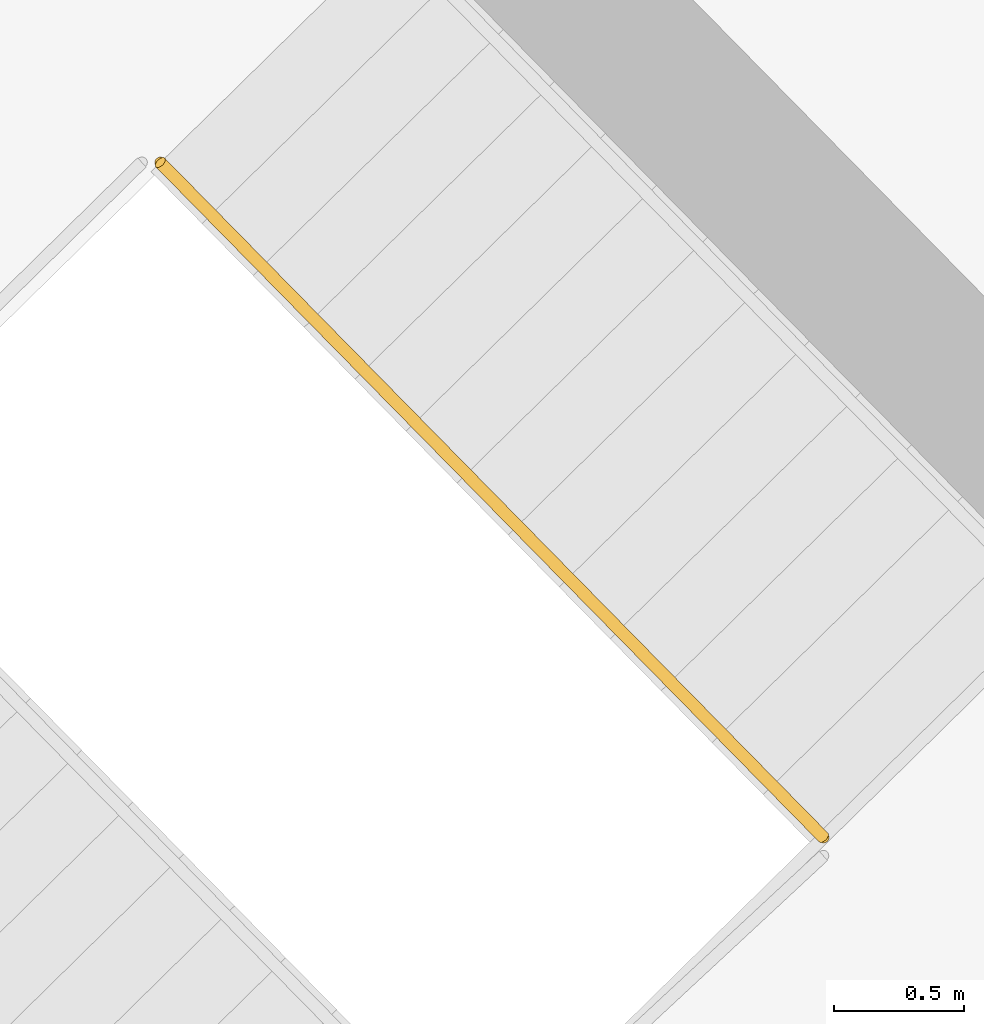
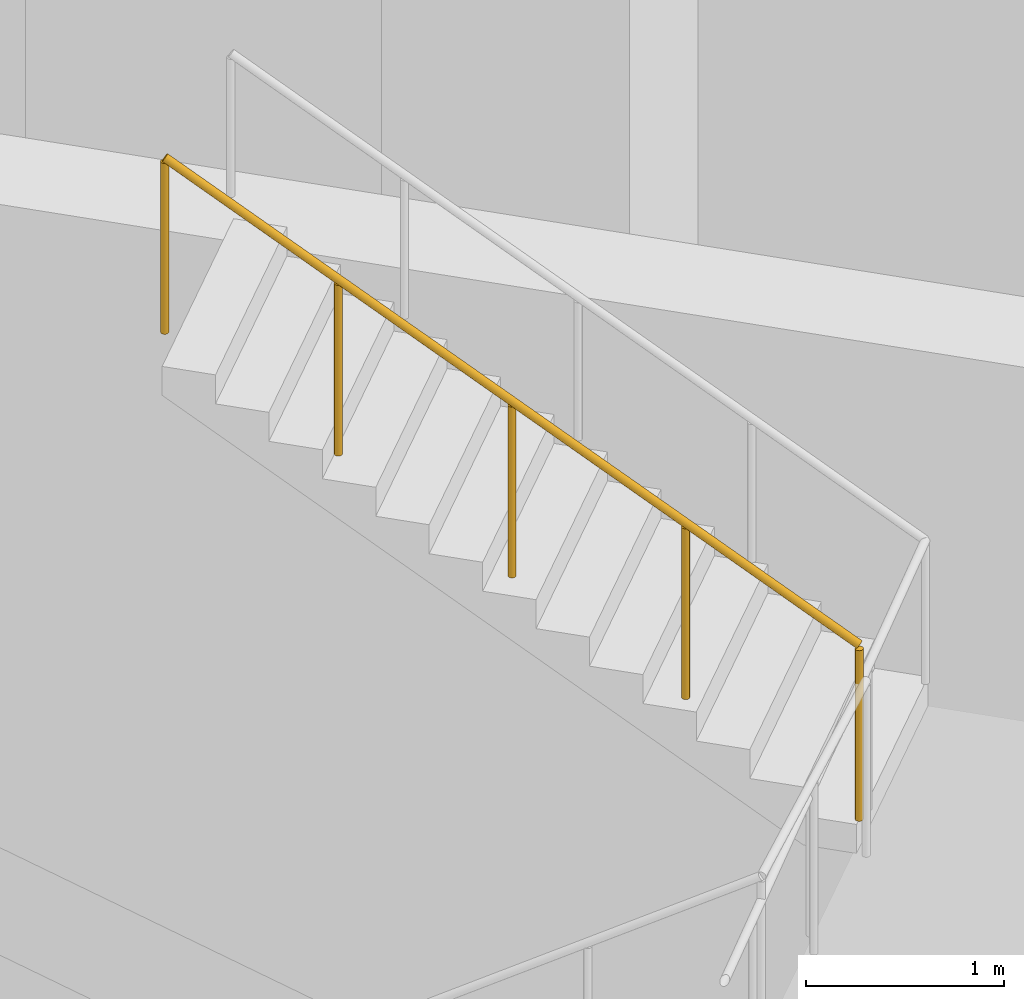
# One storey, part 10 of 10: 1 railing.
"""IFC4 building model written with IfcOpenShell, lengths in metres."""

from ifc_helpers import new_model, si_unit, direction, frame, origin, origin_2d, place, context, subcontext, project, spatial, circle, extrude, material, type_object, element, save


model = new_model("IFC4")

# Units and contexts
model_context = context("Model", 3, precision=1e-05, world=origin(), true_north=direction((0.0, 1.0)))
body_context = subcontext(model_context, "Body", "Model", "MODEL_VIEW")
ifc_project = project(units=[si_unit("LENGTHUNIT", "METRE"), si_unit("AREAUNIT", "SQUARE_METRE"), si_unit("VOLUMEUNIT", "CUBIC_METRE"), si_unit("PLANEANGLEUNIT", "RADIAN"), si_unit("MASSUNIT", "GRAM", prefix="KILO")], contexts=[model_context])

# Site, building, storey
site_placement = place(None, origin())
site = spatial("IfcSite", under=ifc_project, at=site_placement, CompositionType="ELEMENT")
building_placement = place(site_placement, origin())
building = spatial("IfcBuilding", under=site, at=building_placement, Name="Binnacle Exchange Tower", CompositionType="ELEMENT")
storey_placement = place(building_placement, frame((0.0, 0.0, 71.5)))
storey = spatial("IfcBuildingStorey", under=building, at=storey_placement, Name="L14", CompositionType="ELEMENT", Elevation=71.5)

# Railing
ifc_material = material(Name="Steel guard rail", Category="steel")
railing_type = type_object("IfcRailingType", Name="STAIR GUARD 1100", PredefinedType="GUARDRAIL", material=ifc_material)
railing_placement = place(storey_placement, frame((44.693359375, 45.747314453125, 2.678466796875)))
element("IfcRailing", 1, at=railing_placement, inside=storey, type_object=railing_type, Name="L14 STB1 stair guard 2", PredefinedType="GUARDRAIL", context=body_context, shape_type="SweptSolid", body=[
    extrude(circle(Radius=0.02392578125, at=origin_2d()), frame((0.0, 0.0, 1.076171875), z_axis=(-0.590946962671, 0.60135215321, 0.537733461056), x_axis=(-0.713250539553, -0.700909172309, 0.0)), (0.0, 0.0, 1.0), 4.317138671875),
    extrude(circle(Radius=0.02099609375, at=origin_2d()), origin(), (0.0, 0.0, 1.0), 1.052001953125),
    extrude(circle(Radius=0.02099609375, at=origin_2d()), frame((-0.6376953125, 0.64892578125, 0.580322265625)), (0.0, 0.0, 1.0), 1.052001953125),
    extrude(circle(Radius=0.02099609375, at=origin_2d()), frame((-1.275634765625, 1.298095703125, 1.16064453125)), (0.0, 0.0, 1.0), 1.052001953125),
    extrude(circle(Radius=0.02099609375, at=origin_2d()), frame((-1.91357421875, 1.947265625, 1.7412109375)), (0.0, 0.0, 1.0), 1.052001953125),
    extrude(circle(Radius=0.02099609375, at=origin_2d()), frame((-2.55126953125, 2.59619140625, 2.321533203125)), (0.0, 0.0, 1.0), 1.052001953125),
])

save(model, "model.ifc")
